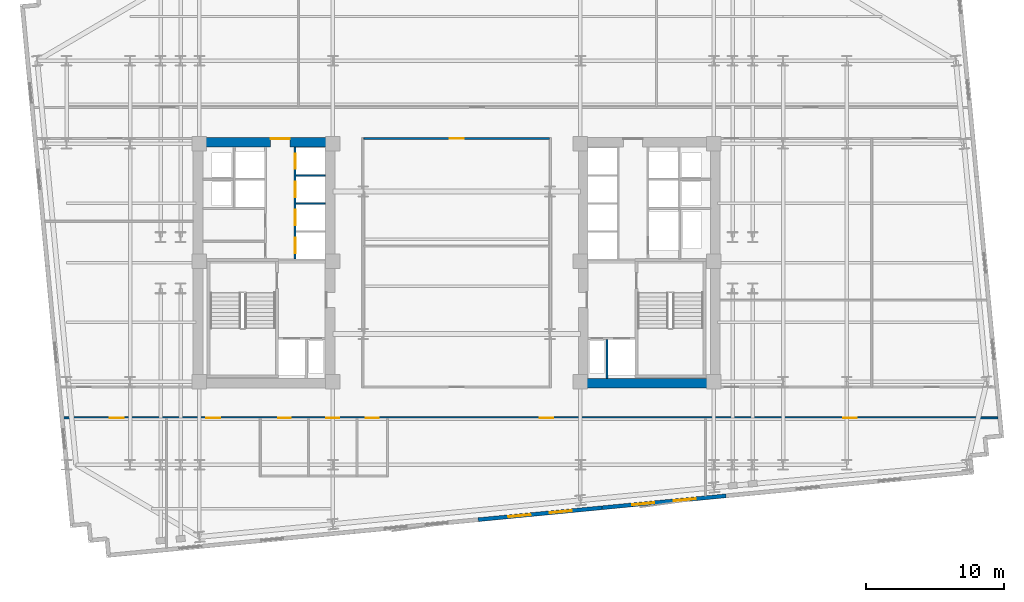
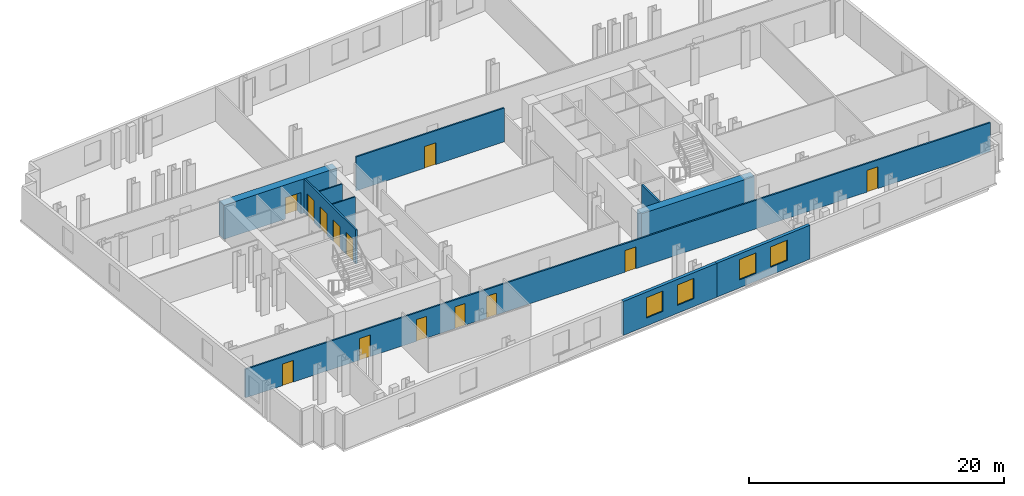
# One storey, part 5 of 10: 13 doors, 10 walls, 4 windows, 17 openings.
"""IFC4 building model written with IfcOpenShell, lengths in metres."""

from ifc_helpers import new_model, si_unit, direction, frame, frame_2d, origin, place, context, subcontext, project, spatial, rectangle, extrude, material, layer, layer_set, type_object, element, fill, save


model = new_model("IFC4")

# Units and contexts
model_context = context("Model", 3, precision=1e-05, world=origin(), true_north=direction((0.0, 1.0)))
body_context = subcontext(model_context, "Body", "Model", "MODEL_VIEW")
ifc_project = project(units=[si_unit("LENGTHUNIT", "METRE"), si_unit("AREAUNIT", "SQUARE_METRE"), si_unit("VOLUMEUNIT", "CUBIC_METRE"), si_unit("PLANEANGLEUNIT", "RADIAN"), si_unit("MASSUNIT", "GRAM", prefix="KILO")], contexts=[model_context])

# Site, building, storey
site_placement = place(None, origin())
site = spatial("IfcSite", under=ifc_project, at=site_placement, CompositionType="ELEMENT")
building_placement = place(site_placement, origin())
building = spatial("IfcBuilding", under=site, at=building_placement, Name="Velakula Bourse", CompositionType="ELEMENT")
storey_placement = place(building_placement, frame((0.0, 0.0, 81.10009765625)))
storey = spatial("IfcBuildingStorey", under=building, at=storey_placement, Name="L21", CompositionType="ELEMENT", Elevation=81.10009765625)

# Wall, opening, door
ifc_material_1 = material(Name="Concrete M70 (fck 70 MPa)", Category="concrete")
ifc_layer_1 = layer(ifc_material_1, 0.699951171875, Name="Concrete M70 (fck 70 MPa)", Category="concrete")
ifc_layer_set_1 = layer_set([ifc_layer_1], Name="Concrete M70 (fck 70 MPa)")
wall_type_1 = type_object("IfcWallType", Name="WL-CORE-700", PredefinedType="SHEAR", material=ifc_layer_set_1)
wall_1_placement = place(storey_placement, frame((-19.050048828125, 8.699951171875, 0.0), z_axis=(0.0, 0.0, 1.0), x_axis=(1.0, 0.0, 0.0)))
wall_1 = element("IfcWall", 1, at=wall_1_placement, inside=storey, type_object=wall_type_1, Name="L21 Core W Shear Wall N", PredefinedType="SHEAR", context=body_context, shape_type="SweptSolid", body=[
    extrude(rectangle(XDim=10.25, YDim=0.699951171875, at=frame_2d((5.125, 0.0))), origin(), (0.0, 0.0, 1.0), 3.27001953125),
])
opening_1_placement = place(wall_1_placement, frame((5.60009765625, 0.0, 0.0)))
opening_1 = element("IfcOpeningElement", 2, at=opening_1_placement, cuts=wall_1, Name="Opening D-LLW", PredefinedType="OPENING", context=body_context, shape_type="SweptSolid", body=[
    extrude(rectangle(XDim=1.39990234375, YDim=2.050048828125, at=frame_2d((0.699951171875, 1.02490234375))), frame((0.0, 0.35986328125, 0.0), z_axis=(0.0, -1.0, 0.0), x_axis=(1.0, 0.0, 0.0)), (0.0, 0.0, 1.0), 0.719970703125),
])
ifc_material_2 = material(Name="Fire-rated hardwood flush architectural door", Category="wood")
door_type_1 = type_object("IfcDoorType", Name="DR-DBL-FD60-1400", OperationType="DOUBLE_DOOR_SINGLE_SWING", PredefinedType="DOOR", material=ifc_material_2)
door_1_placement = place(opening_1_placement, origin())
door_1 = element("IfcDoor", 3, at=door_1_placement, inside=storey, type_object=door_type_1, Name="L21 Core W Lift Lobby Corridor Double Door", OperationType="DOUBLE_DOOR_SINGLE_SWING", OverallHeight=2.050048828125, OverallWidth=1.39990234375, PredefinedType="DOOR", context=body_context, shape_type="SweptSolid", body=[
    extrude(rectangle(XDim=1.39990234375, YDim=2.050048828125, at=frame_2d((0.699951171875, 1.02490234375))), frame((0.0, 0.294921875, 0.0), z_axis=(0.0, -1.0, 0.0), x_axis=(1.0, 0.0, 0.0)), (0.0, 0.0, 1.0), 0.050048828125),
])
fill(opening_1, door_1)

# Wall
wall_2_placement = place(storey_placement, frame((8.800048828125, -8.699951171875, 0.0), z_axis=(0.0, 0.0, 1.0), x_axis=(1.0, 0.0, 0.0)))
element("IfcWall", 4, at=wall_2_placement, inside=storey, type_object=wall_type_1, Name="L21 Core E Shear Wall S", PredefinedType="SHEAR", context=body_context, shape_type="SweptSolid", body=[
    extrude(rectangle(XDim=10.25, YDim=0.699951171875, at=frame_2d((5.125, 0.0))), origin(), (0.0, 0.0, 1.0), 3.27001953125),
])

# Wall, openings, windows
ifc_material_3 = material(Name="Red kilned clay facing brick masonry", Category="masonry")
ifc_layer_2 = layer(ifc_material_3, 0.280029296875, Name="Red kilned clay facing brick masonry", Category="masonry")
ifc_layer_set_2 = layer_set([ifc_layer_2], Name="Red kilned clay facing brick masonry")
wall_type_2 = type_object("IfcWallType", Name="WL-EXT-BRK-280", PredefinedType="STANDARD", material=ifc_layer_set_2)
wall_3_placement = place(storey_placement, frame((10.51513671875, -17.7109375, 0.0), z_axis=(0.0, 0.0, 1.0), x_axis=(-0.995397043619, -0.095836973841, 0.0)))
wall_3 = element("IfcWall", 5, at=wall_3_placement, inside=storey, type_object=wall_type_2, Name="L21 S Brick Spandrel Wall B3", PredefinedType="STANDARD", context=body_context, shape_type="SweptSolid", body=[
    extrude(rectangle(XDim=9.000244140625, YDim=0.280029296875, at=frame_2d((4.5, 0.0))), origin(), (0.0, 0.0, 1.0), 3.25),
])
opening_2_placement = place(wall_3_placement, frame((2.199951171875, 0.0, 0.760009765625)))
opening_2 = element("IfcOpeningElement", 6, at=opening_2_placement, cuts=wall_3, Name="Opening W-02", PredefinedType="OPENING", context=body_context, shape_type="SweptSolid", body=[
    extrude(rectangle(XDim=1.60009765625, YDim=1.949951171875, at=frame_2d((0.800048828125, 0.97509765625))), frame((0.0, 0.14990234375, 0.0), z_axis=(0.0, -1.0, 0.0), x_axis=(1.0, 0.0, 0.0)), (0.0, 0.0, 1.0), 0.300048828125),
])
opening_3_placement = place(wall_3_placement, frame((5.199951171875, 0.0, 0.760009765625)))
opening_3 = element("IfcOpeningElement", 7, at=opening_3_placement, cuts=wall_3, Name="Opening W-02", PredefinedType="OPENING", context=body_context, shape_type="SweptSolid", body=[
    extrude(rectangle(XDim=1.60009765625, YDim=1.949951171875, at=frame_2d((0.800048828125, 0.97509765625))), frame((0.0, 0.14990234375, 0.0), z_axis=(0.0, -1.0, 0.0), x_axis=(1.0, 0.0, 0.0)), (0.0, 0.0, 1.0), 0.300048828125),
])
ifc_material_4 = material(Name="Double-glazed solar-control Low-E glass", Category="glass")
window_type = type_object("IfcWindowType", Name="WIN-TWR-1600x2100", PartitioningType="SINGLE_PANEL", PredefinedType="WINDOW", material=ifc_material_4)
window_1_placement = place(opening_2_placement, origin())
window_1 = element("IfcWindow", 8, at=window_1_placement, inside=storey, type_object=window_type, Name="L21 Deep-Set Recessed Window 1", OverallHeight=1.949951171875, OverallWidth=1.60009765625, PartitioningType="SINGLE_PANEL", PredefinedType="WINDOW", context=body_context, shape_type="SweptSolid", body=[
    extrude(rectangle(XDim=1.60009765625, YDim=1.949951171875, at=frame_2d((0.800048828125, 0.97509765625))), frame((0.0, 0.030029296875, 0.0), z_axis=(0.0, -1.0, 0.0), x_axis=(1.0, 0.0, 0.0)), (0.0, 0.0, 1.0), 0.06005859375),
])
fill(opening_2, window_1)
window_2_placement = place(opening_3_placement, origin())
window_2 = element("IfcWindow", 9, at=window_2_placement, inside=storey, type_object=window_type, Name="L21 Deep-Set Recessed Window 2", OverallHeight=1.949951171875, OverallWidth=1.60009765625, PartitioningType="SINGLE_PANEL", PredefinedType="WINDOW", context=body_context, shape_type="SweptSolid", body=[
    extrude(rectangle(XDim=1.60009765625, YDim=1.949951171875, at=frame_2d((0.800048828125, 0.97509765625))), frame((0.0, 0.030029296875, 0.0), z_axis=(0.0, -1.0, 0.0), x_axis=(1.0, 0.0, 0.0)), (0.0, 0.0, 1.0), 0.06005859375),
])
fill(opening_3, window_2)

wall_4_placement = place(storey_placement, frame((19.4736328125, -16.848388671875, 0.0), z_axis=(0.0, 0.0, 1.0), x_axis=(-0.995396794462, -0.09583956164, 0.0)))
wall_4 = element("IfcWall", 10, at=wall_4_placement, inside=storey, type_object=wall_type_2, Name="L21 S Brick Spandrel Wall B4", PredefinedType="STANDARD", context=body_context, shape_type="SweptSolid", body=[
    extrude(rectangle(XDim=9.0, YDim=0.280029296875, at=frame_2d((4.5, 0.0))), origin(), (0.0, 0.0, 1.0), 3.25),
])
opening_4_placement = place(wall_4_placement, frame((2.199951171875, 0.0, 0.760009765625)))
opening_4 = element("IfcOpeningElement", 11, at=opening_4_placement, cuts=wall_4, Name="Opening W-02", PredefinedType="OPENING", context=body_context, shape_type="SweptSolid", body=[
    extrude(rectangle(XDim=1.60009765625, YDim=1.949951171875, at=frame_2d((0.800048828125, 0.97509765625))), frame((0.0, 0.14990234375, 0.0), z_axis=(0.0, -1.0, 0.0), x_axis=(1.0, 0.0, 0.0)), (0.0, 0.0, 1.0), 0.300048828125),
])
opening_5_placement = place(wall_4_placement, frame((5.199951171875, 0.0, 0.760009765625)))
opening_5 = element("IfcOpeningElement", 12, at=opening_5_placement, cuts=wall_4, Name="Opening W-02", PredefinedType="OPENING", context=body_context, shape_type="SweptSolid", body=[
    extrude(rectangle(XDim=1.60009765625, YDim=1.949951171875, at=frame_2d((0.800048828125, 0.97509765625))), frame((0.0, 0.14990234375, 0.0), z_axis=(0.0, -1.0, 0.0), x_axis=(1.0, 0.0, 0.0)), (0.0, 0.0, 1.0), 0.300048828125),
])
window_3_placement = place(opening_4_placement, origin())
window_3 = element("IfcWindow", 13, at=window_3_placement, inside=storey, type_object=window_type, Name="L21 Deep-Set Recessed Window 1", OverallHeight=1.949951171875, OverallWidth=1.60009765625, PartitioningType="SINGLE_PANEL", PredefinedType="WINDOW", context=body_context, shape_type="SweptSolid", body=[
    extrude(rectangle(XDim=1.60009765625, YDim=1.949951171875, at=frame_2d((0.800048828125, 0.97509765625))), frame((0.0, 0.030029296875, 0.0), z_axis=(0.0, -1.0, 0.0), x_axis=(1.0, 0.0, 0.0)), (0.0, 0.0, 1.0), 0.06005859375),
])
fill(opening_4, window_3)
window_4_placement = place(opening_5_placement, origin())
window_4 = element("IfcWindow", 14, at=window_4_placement, inside=storey, type_object=window_type, Name="L21 Deep-Set Recessed Window 2", OverallHeight=1.949951171875, OverallWidth=1.60009765625, PartitioningType="SINGLE_PANEL", PredefinedType="WINDOW", context=body_context, shape_type="SweptSolid", body=[
    extrude(rectangle(XDim=1.60009765625, YDim=1.949951171875, at=frame_2d((0.800048828125, 0.97509765625))), frame((0.0, 0.030029296875, 0.0), z_axis=(0.0, -1.0, 0.0), x_axis=(1.0, 0.0, 0.0)), (0.0, 0.0, 1.0), 0.06005859375),
])
fill(opening_5, window_4)

# Walls
ifc_material_5 = material(Name="Fire-rated double-layer gypsum drywall partition", Category="gypsum")
ifc_layer_3 = layer(ifc_material_5, 0.1201171875, Name="Fire-rated double-layer gypsum drywall partition", Category="gypsum")
ifc_layer_set_3 = layer_set([ifc_layer_3], Name="Fire-rated double-layer gypsum drywall partition")
wall_type_3 = type_object("IfcWallType", Name="WL-PART-120", PredefinedType="STANDARD", material=ifc_layer_set_3)
for number, where, z_axis, x_axis, name in (
    (15, (-11.60009765625, 4.284912109375, 0.0), (0.0, 0.0, 1.0), (1.0, 0.0, 0.0), "L21 Interior Partition WL-CRW-L21-BDIV-1"),
    (16, (-11.60009765625, 6.31494140625, 0.0), (0.0, 0.0, 1.0), (1.0, 0.0, 0.0), "L21 Interior Partition WL-CRW-L21-BDIV-2"),
):
    element("IfcWall", number, at=place(storey_placement, frame(where, z_axis=z_axis, x_axis=x_axis)), inside=storey, type_object=wall_type_3, Name=name, PredefinedType="STANDARD", context=body_context, shape_type="SweptSolid", body=[
        extrude(rectangle(XDim=2.10009765625, YDim=0.110107421875, at=frame_2d((1.050048828125, 0.0))), origin(), (0.0, 0.0, 1.0), 3.25),
    ])

# Wall, openings, doors
ifc_layer_4 = layer(ifc_material_5, 0.139892578125, Name="Fire-rated double-layer gypsum drywall partition", Category="gypsum")
ifc_layer_set_4 = layer_set([ifc_layer_4], Name="Fire-rated double-layer gypsum drywall partition")
wall_type_4 = type_object("IfcWallType", Name="WL-PART-140", PredefinedType="STANDARD", material=ifc_layer_set_4)
wall_5_placement = place(storey_placement, frame((-28.40625, -11.219970703125, 0.0), z_axis=(0.0, 0.0, 1.0), x_axis=(1.0, 0.0, 0.0)))
wall_5 = element("IfcWall", 17, at=wall_5_placement, inside=storey, type_object=wall_type_4, Name="L21 Interior Partition WL-INT-L21-S-CORR", PredefinedType="STANDARD", context=body_context, shape_type="SweptSolid", body=[
    extrude(rectangle(XDim=67.551025390625, YDim=0.139892578125, at=frame_2d((33.775390625, 0.0))), origin(), (0.0, 0.0, 1.0), 2.744873046875),
])
opening_6_placement = place(wall_5_placement, frame((15.496337890625, 0.0, 0.0)))
opening_6 = element("IfcOpeningElement", 18, at=opening_6_placement, cuts=wall_5, Name="Opening D-WT1", PredefinedType="OPENING", context=body_context, shape_type="SweptSolid", body=[
    extrude(rectangle(XDim=0.919921875, YDim=2.080078125, at=frame_2d((0.4599609375, 1.0400390625))), frame((0.0, 0.079833984375, 0.0), z_axis=(0.0, -1.0, 0.0), x_axis=(1.0, 0.0, 0.0)), (0.0, 0.0, 1.0), 0.159912109375),
])
opening_7_placement = place(wall_5_placement, frame((18.996337890625, 0.0, 0.0)))
opening_7 = element("IfcOpeningElement", 19, at=opening_7_placement, cuts=wall_5, Name="Opening D-WT1", PredefinedType="OPENING", context=body_context, shape_type="SweptSolid", body=[
    extrude(rectangle(XDim=0.919921875, YDim=2.080078125, at=frame_2d((0.4599609375, 1.0400390625))), frame((0.0, 0.079833984375, 0.0), z_axis=(0.0, -1.0, 0.0), x_axis=(1.0, 0.0, 0.0)), (0.0, 0.0, 1.0), 0.159912109375),
])
opening_8_placement = place(wall_5_placement, frame((21.84619140625, 0.0, 0.0)))
opening_8 = element("IfcOpeningElement", 20, at=opening_8_placement, cuts=wall_5, Name="Opening D-WC1", PredefinedType="OPENING", context=body_context, shape_type="SweptSolid", body=[
    extrude(rectangle(XDim=0.919921875, YDim=2.080078125, at=frame_2d((0.4599609375, 1.0400390625))), frame((0.0, 0.079833984375, 0.0), z_axis=(0.0, -1.0, 0.0), x_axis=(1.0, 0.0, 0.0)), (0.0, 0.0, 1.0), 0.159912109375),
])
opening_9_placement = place(wall_5_placement, frame((3.335693359375, 0.0, 0.0)))
opening_9 = element("IfcOpeningElement", 21, at=opening_9_placement, cuts=wall_5, Name="Opening D-OF1", PredefinedType="OPENING", context=body_context, shape_type="SweptSolid", body=[
    extrude(rectangle(XDim=1.0, YDim=2.080078125, at=frame_2d((0.5, 1.0400390625))), frame((0.0, 0.079833984375, 0.0), z_axis=(0.0, -1.0, 0.0), x_axis=(1.0, 0.0, 0.0)), (0.0, 0.0, 1.0), 0.159912109375),
])
opening_10_placement = place(wall_5_placement, frame((10.312744140625, 0.0, 0.0)))
opening_10 = element("IfcOpeningElement", 22, at=opening_10_placement, cuts=wall_5, Name="Opening D-OF1", PredefinedType="OPENING", context=body_context, shape_type="SweptSolid", body=[
    extrude(rectangle(XDim=1.0, YDim=2.080078125, at=frame_2d((0.5, 1.0400390625))), frame((0.0, 0.079833984375, 0.0), z_axis=(0.0, -1.0, 0.0), x_axis=(1.0, 0.0, 0.0)), (0.0, 0.0, 1.0), 0.159912109375),
])
opening_11_placement = place(wall_5_placement, frame((34.396728515625, 0.0, 0.0)))
opening_11 = element("IfcOpeningElement", 23, at=opening_11_placement, cuts=wall_5, Name="Opening D-OF1", PredefinedType="OPENING", context=body_context, shape_type="SweptSolid", body=[
    extrude(rectangle(XDim=1.0, YDim=2.080078125, at=frame_2d((0.5, 1.0400390625))), frame((0.0, 0.079833984375, 0.0), z_axis=(0.0, -1.0, 0.0), x_axis=(1.0, 0.0, 0.0)), (0.0, 0.0, 1.0), 0.159912109375),
])
opening_12_placement = place(wall_5_placement, frame((56.343017578125, 0.0, 0.0)))
opening_12 = element("IfcOpeningElement", 24, at=opening_12_placement, cuts=wall_5, Name="Opening D-OF1", PredefinedType="OPENING", context=body_context, shape_type="SweptSolid", body=[
    extrude(rectangle(XDim=1.0, YDim=2.080078125, at=frame_2d((0.5, 1.0400390625))), frame((0.0, 0.079833984375, 0.0), z_axis=(0.0, -1.0, 0.0), x_axis=(1.0, 0.0, 0.0)), (0.0, 0.0, 1.0), 0.159912109375),
])
door_type_2 = type_object("IfcDoorType", Name="DR-OFF-1000", OperationType="NOTDEFINED", PredefinedType="DOOR", material=ifc_material_2)
door_2_placement = place(opening_9_placement, origin())
door_2 = element("IfcDoor", 25, at=door_2_placement, inside=storey, type_object=door_type_2, Name="L21 Quiet Financial Library Door", OperationType="SINGLE_SWING_LEFT", OverallHeight=2.080078125, OverallWidth=1.0, PredefinedType="DOOR", context=body_context, shape_type="SweptSolid", body=[
    extrude(rectangle(XDim=1.0, YDim=2.080078125, at=frame_2d((0.5, 1.0400390625))), frame((0.0, 0.02490234375, 0.0), z_axis=(0.0, -1.0, 0.0), x_axis=(1.0, 0.0, 0.0)), (0.0, 0.0, 1.0), 0.050048828125),
])
fill(opening_9, door_2)
door_3_placement = place(opening_10_placement, origin())
door_3 = element("IfcDoor", 26, at=door_3_placement, inside=storey, type_object=door_type_2, Name="L21 Chief Risk Officer Chamber Door", OperationType="SINGLE_SWING_RIGHT", OverallHeight=2.080078125, OverallWidth=1.0, PredefinedType="DOOR", context=body_context, shape_type="SweptSolid", body=[
    extrude(rectangle(XDim=1.0, YDim=2.080078125, at=frame_2d((0.5, 1.0400390625))), frame((0.0, 0.02490234375, 0.0), z_axis=(0.0, -1.0, 0.0), x_axis=(1.0, 0.0, 0.0)), (0.0, 0.0, 1.0), 0.050048828125),
])
fill(opening_10, door_3)
door_4_placement = place(opening_11_placement, origin())
door_4 = element("IfcDoor", 27, at=door_4_placement, inside=storey, type_object=door_type_2, Name="L21 Executive Boardroom Door", OperationType="SINGLE_SWING_LEFT", OverallHeight=2.080078125, OverallWidth=1.0, PredefinedType="DOOR", context=body_context, shape_type="SweptSolid", body=[
    extrude(rectangle(XDim=1.0, YDim=2.080078125, at=frame_2d((0.5, 1.0400390625))), frame((0.0, 0.02490234375, 0.0), z_axis=(0.0, -1.0, 0.0), x_axis=(1.0, 0.0, 0.0)), (0.0, 0.0, 1.0), 0.050048828125),
])
fill(opening_11, door_4)
door_5_placement = place(opening_12_placement, origin())
door_5 = element("IfcDoor", 28, at=door_5_placement, inside=storey, type_object=door_type_2, Name="L21 Catering Servery Pantry Door", OperationType="SINGLE_SWING_RIGHT", OverallHeight=2.080078125, OverallWidth=1.0, PredefinedType="DOOR", context=body_context, shape_type="SweptSolid", body=[
    extrude(rectangle(XDim=1.0, YDim=2.080078125, at=frame_2d((0.5, 1.0400390625))), frame((0.0, 0.02490234375, 0.0), z_axis=(0.0, -1.0, 0.0), x_axis=(1.0, 0.0, 0.0)), (0.0, 0.0, 1.0), 0.050048828125),
])
fill(opening_12, door_5)
door_type_3 = type_object("IfcDoorType", Name="DR-WC-950", OperationType="NOTDEFINED", PredefinedType="DOOR", material=ifc_material_2)
door_6_placement = place(opening_6_placement, origin())
door_6 = element("IfcDoor", 29, at=door_6_placement, inside=storey, type_object=door_type_3, Name="L21 Male Staff Toilet Door", OperationType="SINGLE_SWING_RIGHT", OverallHeight=2.080078125, OverallWidth=0.919921875, PredefinedType="DOOR", context=body_context, shape_type="SweptSolid", body=[
    extrude(rectangle(XDim=0.919921875, YDim=2.080078125, at=frame_2d((0.4599609375, 1.0400390625))), frame((0.0, 0.02490234375, 0.0), z_axis=(0.0, -1.0, 0.0), x_axis=(1.0, 0.0, 0.0)), (0.0, 0.0, 1.0), 0.050048828125),
])
fill(opening_6, door_6)
door_7_placement = place(opening_7_placement, origin())
door_7 = element("IfcDoor", 30, at=door_7_placement, inside=storey, type_object=door_type_3, Name="L21 Female Staff Toilet Door", OperationType="SINGLE_SWING_LEFT", OverallHeight=2.080078125, OverallWidth=0.919921875, PredefinedType="DOOR", context=body_context, shape_type="SweptSolid", body=[
    extrude(rectangle(XDim=0.919921875, YDim=2.080078125, at=frame_2d((0.4599609375, 1.0400390625))), frame((0.0, 0.02490234375, 0.0), z_axis=(0.0, -1.0, 0.0), x_axis=(1.0, 0.0, 0.0)), (0.0, 0.0, 1.0), 0.050048828125),
])
fill(opening_7, door_7)
door_8_placement = place(opening_8_placement, origin())
door_8 = element("IfcDoor", 31, at=door_8_placement, inside=storey, type_object=door_type_3, Name="L21 Accessible WC Door", OperationType="SINGLE_SWING_RIGHT", OverallHeight=2.080078125, OverallWidth=0.919921875, PredefinedType="DOOR", context=body_context, shape_type="SweptSolid", body=[
    extrude(rectangle(XDim=0.919921875, YDim=2.080078125, at=frame_2d((0.4599609375, 1.0400390625))), frame((0.0, 0.02490234375, 0.0), z_axis=(0.0, -1.0, 0.0), x_axis=(1.0, 0.0, 0.0)), (0.0, 0.0, 1.0), 0.050048828125),
])
fill(opening_8, door_8)

# Wall, opening, door
wall_6_placement = place(storey_placement, frame((-6.7099609375, 8.97998046875, 0.0), z_axis=(0.0, 0.0, 1.0), x_axis=(1.0, 0.0, 0.0)))
wall_6 = element("IfcWall", 32, at=wall_6_placement, inside=storey, type_object=wall_type_4, Name="L21 Interior Partition WL-INT-L21-MID-N", PredefinedType="STANDARD", context=body_context, shape_type="SweptSolid", body=[
    extrude(rectangle(XDim=13.419921875, YDim=0.139892578125, at=frame_2d((6.7099609375, 0.0))), origin(), (0.0, 0.0, 1.0), 3.25),
])
opening_13_placement = place(wall_6_placement, frame((6.2099609375, 0.0, 0.0)))
opening_13 = element("IfcOpeningElement", 33, at=opening_13_placement, cuts=wall_6, Name="Opening D-OF1", PredefinedType="OPENING", context=body_context, shape_type="SweptSolid", body=[
    extrude(rectangle(XDim=1.0, YDim=2.080078125, at=frame_2d((0.5, 1.0400390625))), frame((0.0, 0.079833984375, 0.0), z_axis=(0.0, -1.0, 0.0), x_axis=(1.0, 0.0, 0.0)), (0.0, 0.0, 1.0), 0.159912109375),
])
door_9_placement = place(opening_13_placement, origin())
door_9 = element("IfcDoor", 34, at=door_9_placement, inside=storey, type_object=door_type_2, Name="L21 Central Boardroom North Door", OperationType="SINGLE_SWING_RIGHT", OverallHeight=2.080078125, OverallWidth=1.0, PredefinedType="DOOR", context=body_context, shape_type="SweptSolid", body=[
    extrude(rectangle(XDim=1.0, YDim=2.080078125, at=frame_2d((0.5, 1.0400390625))), frame((0.0, 0.02490234375, 0.0), z_axis=(0.0, -1.0, 0.0), x_axis=(1.0, 0.0, 0.0)), (0.0, 0.0, 1.0), 0.050048828125),
])
fill(opening_13, door_9)

# Wall, openings, doors
ifc_material_6 = material(Name="Autoclaved aerated concrete blockwork masonry", Category="masonry")
ifc_layer_5 = layer(ifc_material_6, 0.14990234375, Name="Autoclaved aerated concrete blockwork masonry", Category="masonry")
ifc_layer_set_5 = layer_set([ifc_layer_5], Name="Autoclaved aerated concrete blockwork masonry")
wall_type_5 = type_object("IfcWallType", Name="WL-SHAFT-150", PredefinedType="STANDARD", material=ifc_layer_set_5)
wall_7_placement = place(storey_placement, frame((-11.675048828125, 0.27001953125, 0.0), z_axis=(0.0, 0.0, 1.0), x_axis=(0.0, 1.0, 0.0)))
wall_7 = element("IfcWall", 35, at=wall_7_placement, inside=storey, type_object=wall_type_5, Name="L21 Interior Partition WL-CRW-L21-BANK-F", PredefinedType="STANDARD", context=body_context, shape_type="SweptSolid", body=[
    extrude(rectangle(XDim=8.080078125, YDim=0.14990234375, at=frame_2d((4.0400390625, 0.0))), origin(), (0.0, 0.0, 1.0), 3.25),
])
opening_14_placement = place(wall_7_placement, frame((0.419921875, 0.0, 0.0)))
opening_14 = element("IfcOpeningElement", 36, at=opening_14_placement, cuts=wall_7, Name="Opening LD-P1", PredefinedType="OPENING", context=body_context, shape_type="SweptSolid", body=[
    extrude(rectangle(XDim=1.10009765625, YDim=2.10009765625, at=frame_2d((0.550048828125, 1.050048828125))), frame((0.0, 0.0849609375, 0.0), z_axis=(0.0, -1.0, 0.0), x_axis=(1.0, 0.0, 0.0)), (0.0, 0.0, 1.0), 0.169921875),
])
opening_15_placement = place(wall_7_placement, frame((2.449951171875, 0.0, 0.0)))
opening_15 = element("IfcOpeningElement", 37, at=opening_15_placement, cuts=wall_7, Name="Opening LD-P2", PredefinedType="OPENING", context=body_context, shape_type="SweptSolid", body=[
    extrude(rectangle(XDim=1.10009765625, YDim=2.10009765625, at=frame_2d((0.550048828125, 1.050048828125))), frame((0.0, 0.0849609375, 0.0), z_axis=(0.0, -1.0, 0.0), x_axis=(1.0, 0.0, 0.0)), (0.0, 0.0, 1.0), 0.169921875),
])
opening_16_placement = place(wall_7_placement, frame((4.47998046875, 0.0, 0.0)))
opening_16 = element("IfcOpeningElement", 38, at=opening_16_placement, cuts=wall_7, Name="Opening LD-P3", PredefinedType="OPENING", context=body_context, shape_type="SweptSolid", body=[
    extrude(rectangle(XDim=1.10009765625, YDim=2.10009765625, at=frame_2d((0.550048828125, 1.050048828125))), frame((0.0, 0.0849609375, 0.0), z_axis=(0.0, -1.0, 0.0), x_axis=(1.0, 0.0, 0.0)), (0.0, 0.0, 1.0), 0.169921875),
])
opening_17_placement = place(wall_7_placement, frame((6.510009765625, 0.0, 0.0)))
opening_17 = element("IfcOpeningElement", 39, at=opening_17_placement, cuts=wall_7, Name="Opening LD-P4", PredefinedType="OPENING", context=body_context, shape_type="SweptSolid", body=[
    extrude(rectangle(XDim=1.10009765625, YDim=2.10009765625, at=frame_2d((0.550048828125, 1.050048828125))), frame((0.0, 0.0849609375, 0.0), z_axis=(0.0, -1.0, 0.0), x_axis=(1.0, 0.0, 0.0)), (0.0, 0.0, 1.0), 0.169921875),
])
ifc_material_7 = material(Name="Brushed grade 316 stainless steel", Category="steel")
door_type_4 = type_object("IfcDoorType", Name="DR-SLIDE-LD-1100", OperationType="DOUBLE_DOOR_SLIDING", PredefinedType="DOOR", material=ifc_material_7)
door_10_placement = place(opening_14_placement, origin())
door_10 = element("IfcDoor", 40, at=door_10_placement, inside=storey, type_object=door_type_4, Name="L21 Passenger Lift P1 Sliding Landing Door", OperationType="DOUBLE_DOOR_SLIDING", OverallHeight=2.10009765625, OverallWidth=1.10009765625, PredefinedType="DOOR", context=body_context, shape_type="SweptSolid", body=[
    extrude(rectangle(XDim=1.10009765625, YDim=2.10009765625, at=frame_2d((0.550048828125, 1.050048828125))), frame((0.0, 0.02490234375, 0.0), z_axis=(0.0, -1.0, 0.0), x_axis=(1.0, 0.0, 0.0)), (0.0, 0.0, 1.0), 0.050048828125),
])
fill(opening_14, door_10)
door_11_placement = place(opening_15_placement, origin())
door_11 = element("IfcDoor", 41, at=door_11_placement, inside=storey, type_object=door_type_4, Name="L21 Passenger Lift P2 Sliding Landing Door", OperationType="DOUBLE_DOOR_SLIDING", OverallHeight=2.10009765625, OverallWidth=1.10009765625, PredefinedType="DOOR", context=body_context, shape_type="SweptSolid", body=[
    extrude(rectangle(XDim=1.10009765625, YDim=2.10009765625, at=frame_2d((0.550048828125, 1.050048828125))), frame((0.0, 0.02490234375, 0.0), z_axis=(0.0, -1.0, 0.0), x_axis=(1.0, 0.0, 0.0)), (0.0, 0.0, 1.0), 0.050048828125),
])
fill(opening_15, door_11)
door_12_placement = place(opening_16_placement, origin())
door_12 = element("IfcDoor", 42, at=door_12_placement, inside=storey, type_object=door_type_4, Name="L21 Passenger Lift P3 Sliding Landing Door", OperationType="DOUBLE_DOOR_SLIDING", OverallHeight=2.10009765625, OverallWidth=1.10009765625, PredefinedType="DOOR", context=body_context, shape_type="SweptSolid", body=[
    extrude(rectangle(XDim=1.10009765625, YDim=2.10009765625, at=frame_2d((0.550048828125, 1.050048828125))), frame((0.0, 0.02490234375, 0.0), z_axis=(0.0, -1.0, 0.0), x_axis=(1.0, 0.0, 0.0)), (0.0, 0.0, 1.0), 0.050048828125),
])
fill(opening_16, door_12)
door_13_placement = place(opening_17_placement, origin())
door_13 = element("IfcDoor", 43, at=door_13_placement, inside=storey, type_object=door_type_4, Name="L21 Passenger Lift P4 Sliding Landing Door", OperationType="DOUBLE_DOOR_SLIDING", OverallHeight=2.10009765625, OverallWidth=1.10009765625, PredefinedType="DOOR", context=body_context, shape_type="SweptSolid", body=[
    extrude(rectangle(XDim=1.10009765625, YDim=2.10009765625, at=frame_2d((0.550048828125, 1.050048828125))), frame((0.0, 0.02490234375, 0.0), z_axis=(0.0, -1.0, 0.0), x_axis=(1.0, 0.0, 0.0)), (0.0, 0.0, 1.0), 0.050048828125),
])
fill(opening_17, door_13)

# Wall
wall_8_placement = place(storey_placement, frame((10.875, -8.35009765625, 0.0), z_axis=(0.0, 0.0, 1.0), x_axis=(0.0, 1.0, 0.0)))
element("IfcWall", 44, at=wall_8_placement, inside=storey, type_object=wall_type_5, Name="L21 Interior Partition WL-CRE-L21-FR-DIV", PredefinedType="STANDARD", context=body_context, shape_type="SweptSolid", body=[
    extrude(rectangle(XDim=2.800048828125, YDim=0.14990234375, at=frame_2d((1.39990234375, 0.0))), origin(), (0.0, 0.0, 1.0), 3.25),
])

save(model, "model.ifc")
